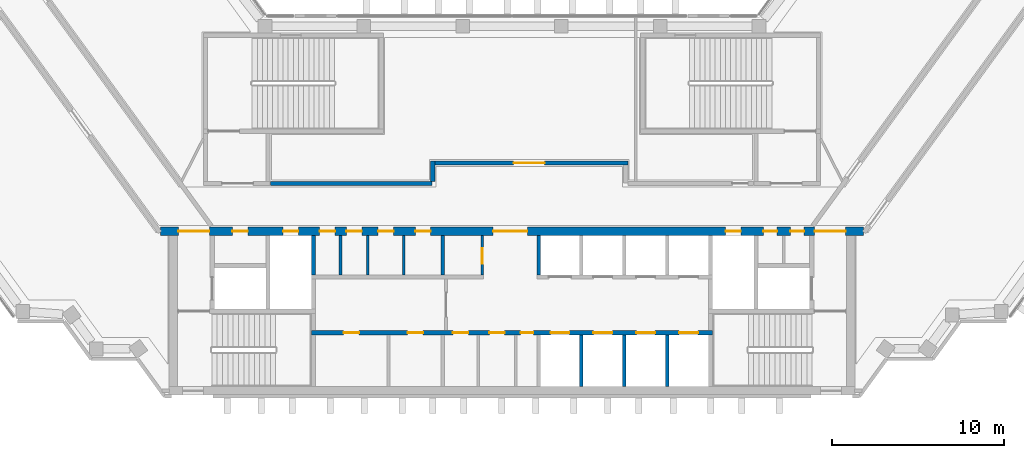
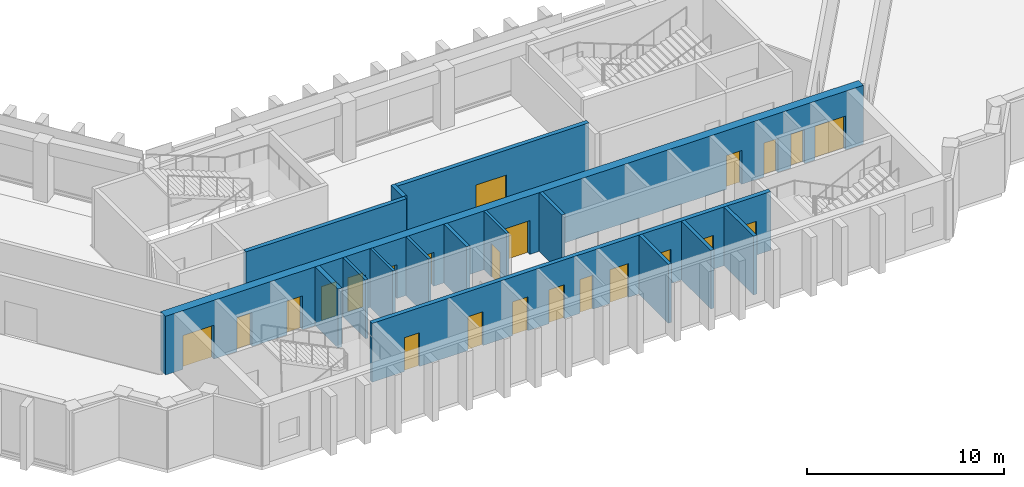
# One storey, part 5 of 10: 23 doors, 15 walls, 23 openings.
"""IFC4 building model written with IfcOpenShell, lengths in metres."""

from ifc_helpers import new_model, si_unit, direction, frame, frame_2d, origin, place, context, subcontext, project, spatial, rectangle, extrude, material, layer, layer_set, type_object, element, fill, save


model = new_model("IFC4")

# Units and contexts
model_context = context("Model", 3, precision=1e-05, world=origin(), true_north=direction((0.0, 1.0)))
body_context = subcontext(model_context, "Body", "Model", "MODEL_VIEW")
ifc_project = project(units=[si_unit("LENGTHUNIT", "METRE"), si_unit("AREAUNIT", "SQUARE_METRE"), si_unit("VOLUMEUNIT", "CUBIC_METRE"), si_unit("PLANEANGLEUNIT", "RADIAN"), si_unit("MASSUNIT", "GRAM", prefix="KILO")], contexts=[model_context])

# Site, building, storey
site_placement = place(None, origin())
site = spatial("IfcSite", under=ifc_project, at=site_placement, CompositionType="ELEMENT")
building_placement = place(site_placement, origin())
building = spatial("IfcBuilding", under=site, at=building_placement, Name="Quipu Civic Tower", CompositionType="ELEMENT")
storey_placement = place(building_placement, frame((0.0, 0.0, 180.0)))
storey = spatial("IfcBuildingStorey", under=building, at=storey_placement, Name="L42", CompositionType="ELEMENT", Elevation=180.0)

# Wall, openings, doors
ifc_material_1 = material(Name="Concrete C70/85", Category="concrete")
ifc_layer_1 = layer(ifc_material_1, 0.25)
ifc_layer_set_1 = layer_set([ifc_layer_1], Name="Concrete C70/85")
wall_type_1 = type_object("IfcWallType", Name="Core wall 250", PredefinedType="SHEAR", material=ifc_layer_set_1)
wall_1_placement = place(storey_placement, frame((11.699951171875, -7.375, 0.0), z_axis=(0.0, 0.0, 1.0), x_axis=(-1.0, 0.0, 0.0)))
wall_1 = element("IfcWall", 1, at=wall_1_placement, inside=storey, type_object=wall_type_1, Name="Core wall", PredefinedType="SHEAR", context=body_context, shape_type="SweptSolid", body=[
    extrude(rectangle(XDim=23.39990234375, YDim=0.25, at=frame_2d((11.699951171875, 0.0))), origin(), (0.0, 0.0, 1.0), 3.64990234375),
])
opening_1_placement = place(wall_1_placement, frame((20.613037109375, 0.0, 0.0)))
opening_1 = element("IfcOpeningElement", 2, at=opening_1_placement, cuts=wall_1, Name="Opening CD-01", PredefinedType="OPENING", context=body_context, shape_type="SweptSolid", body=[
    extrude(rectangle(XDim=0.89990234375, YDim=2.10009765625, at=frame_2d((0.449951171875, 1.050048828125))), frame((0.0, 0.135009765625, 0.0), z_axis=(0.0, -1.0, 0.0), x_axis=(1.0, 0.0, 0.0)), (0.0, 0.0, 1.0), 0.27001953125),
])
opening_2_placement = place(wall_1_placement, frame((16.887939453125, 0.0, 0.0)))
opening_2 = element("IfcOpeningElement", 3, at=opening_2_placement, cuts=wall_1, Name="Opening CD-02", PredefinedType="OPENING", context=body_context, shape_type="SweptSolid", body=[
    extrude(rectangle(XDim=0.89990234375, YDim=2.10009765625, at=frame_2d((0.449951171875, 1.050048828125))), frame((0.0, 0.135009765625, 0.0), z_axis=(0.0, -1.0, 0.0), x_axis=(1.0, 0.0, 0.0)), (0.0, 0.0, 1.0), 0.27001953125),
])
opening_3_placement = place(wall_1_placement, frame((14.25, 0.0, 0.0)))
opening_3 = element("IfcOpeningElement", 4, at=opening_3_placement, cuts=wall_1, Name="Opening CD-03", PredefinedType="OPENING", context=body_context, shape_type="SweptSolid", body=[
    extrude(rectangle(XDim=0.89990234375, YDim=2.10009765625, at=frame_2d((0.449951171875, 1.050048828125))), frame((0.0, 0.135009765625, 0.0), z_axis=(0.0, -1.0, 0.0), x_axis=(1.0, 0.0, 0.0)), (0.0, 0.0, 1.0), 0.27001953125),
])
opening_4_placement = place(wall_1_placement, frame((12.125, 0.0, 0.0)))
opening_4 = element("IfcOpeningElement", 5, at=opening_4_placement, cuts=wall_1, Name="Opening CD-04", PredefinedType="OPENING", context=body_context, shape_type="SweptSolid", body=[
    extrude(rectangle(XDim=0.89990234375, YDim=2.10009765625, at=frame_2d((0.449951171875, 1.050048828125))), frame((0.0, 0.135009765625, 0.0), z_axis=(0.0, -1.0, 0.0), x_axis=(1.0, 0.0, 0.0)), (0.0, 0.0, 1.0), 0.27001953125),
])
opening_5_placement = place(wall_1_placement, frame((10.449951171875, 0.0, 0.0)))
opening_5 = element("IfcOpeningElement", 6, at=opening_5_placement, cuts=wall_1, Name="Opening CD-05", PredefinedType="OPENING", context=body_context, shape_type="SweptSolid", body=[
    extrude(rectangle(XDim=0.75, YDim=2.10009765625, at=frame_2d((0.375, 1.050048828125))), frame((0.0, 0.135009765625, 0.0), z_axis=(0.0, -1.0, 0.0), x_axis=(1.0, 0.0, 0.0)), (0.0, 0.0, 1.0), 0.27001953125),
])
opening_6_placement = place(wall_1_placement, frame((8.35009765625, 0.0, 0.0)))
opening_6 = element("IfcOpeningElement", 7, at=opening_6_placement, cuts=wall_1, Name="Opening LD-ML1", PredefinedType="OPENING", context=body_context, shape_type="SweptSolid", body=[
    extrude(rectangle(XDim=1.10009765625, YDim=2.10009765625, at=frame_2d((0.550048828125, 1.050048828125))), frame((0.0, 0.135009765625, 0.0), z_axis=(0.0, -1.0, 0.0), x_axis=(1.0, 0.0, 0.0)), (0.0, 0.0, 1.0), 0.27001953125),
])
opening_7_placement = place(wall_1_placement, frame((5.85009765625, 0.0, 0.0)))
opening_7 = element("IfcOpeningElement", 8, at=opening_7_placement, cuts=wall_1, Name="Opening LD-ML2", PredefinedType="OPENING", context=body_context, shape_type="SweptSolid", body=[
    extrude(rectangle(XDim=1.10009765625, YDim=2.10009765625, at=frame_2d((0.550048828125, 1.050048828125))), frame((0.0, 0.135009765625, 0.0), z_axis=(0.0, -1.0, 0.0), x_axis=(1.0, 0.0, 0.0)), (0.0, 0.0, 1.0), 0.27001953125),
])
opening_8_placement = place(wall_1_placement, frame((3.35009765625, 0.0, 0.0)))
opening_8 = element("IfcOpeningElement", 9, at=opening_8_placement, cuts=wall_1, Name="Opening LD-ML3", PredefinedType="OPENING", context=body_context, shape_type="SweptSolid", body=[
    extrude(rectangle(XDim=1.10009765625, YDim=2.10009765625, at=frame_2d((0.550048828125, 1.050048828125))), frame((0.0, 0.135009765625, 0.0), z_axis=(0.0, -1.0, 0.0), x_axis=(1.0, 0.0, 0.0)), (0.0, 0.0, 1.0), 0.27001953125),
])
opening_9_placement = place(wall_1_placement, frame((0.85009765625, 0.0, 0.0)))
opening_9 = element("IfcOpeningElement", 10, at=opening_9_placement, cuts=wall_1, Name="Opening LD-ML4", PredefinedType="OPENING", context=body_context, shape_type="SweptSolid", body=[
    extrude(rectangle(XDim=1.10009765625, YDim=2.10009765625, at=frame_2d((0.550048828125, 1.050048828125))), frame((0.0, 0.135009765625, 0.0), z_axis=(0.0, -1.0, 0.0), x_axis=(1.0, 0.0, 0.0)), (0.0, 0.0, 1.0), 0.27001953125),
])
ifc_material_2 = material(Name="Fire rated steel door", Category="steel")
door_type_1 = type_object("IfcDoorType", Name="Fire door FD60 750 x 2100", OperationType="NOTDEFINED", PredefinedType="DOOR", material=ifc_material_2)
door_1_placement = place(opening_5_placement, origin())
door_1 = element("IfcDoor", 11, at=door_1_placement, inside=storey, type_object=door_type_1, Name="Door", OperationType="SINGLE_SWING_LEFT", OverallHeight=2.10009765625, OverallWidth=0.75, PredefinedType="DOOR", context=body_context, shape_type="SweptSolid", body=[
    extrude(rectangle(XDim=0.75, YDim=2.10009765625, at=frame_2d((0.375, 1.050048828125))), frame((0.0, 0.02490234375, 0.0), z_axis=(0.0, -1.0, 0.0), x_axis=(1.0, 0.0, 0.0)), (0.0, 0.0, 1.0), 0.050048828125),
])
fill(opening_5, door_1)
ifc_material_3 = material(Name="Fire rated steel door", Category="steel")
door_type_2 = type_object("IfcDoorType", Name="Fire door FD60 900 x 2100", OperationType="NOTDEFINED", PredefinedType="DOOR", material=ifc_material_3)
door_2_placement = place(opening_1_placement, origin())
door_2 = element("IfcDoor", 12, at=door_2_placement, inside=storey, type_object=door_type_2, Name="Door", OperationType="SINGLE_SWING_RIGHT", OverallHeight=2.10009765625, OverallWidth=0.89990234375, PredefinedType="DOOR", context=body_context, shape_type="SweptSolid", body=[
    extrude(rectangle(XDim=0.89990234375, YDim=2.10009765625, at=frame_2d((0.449951171875, 1.050048828125))), frame((0.0, 0.02490234375, 0.0), z_axis=(0.0, -1.0, 0.0), x_axis=(1.0, 0.0, 0.0)), (0.0, 0.0, 1.0), 0.050048828125),
])
fill(opening_1, door_2)
door_3_placement = place(opening_2_placement, origin())
door_3 = element("IfcDoor", 13, at=door_3_placement, inside=storey, type_object=door_type_2, Name="Door", OperationType="SINGLE_SWING_RIGHT", OverallHeight=2.10009765625, OverallWidth=0.89990234375, PredefinedType="DOOR", context=body_context, shape_type="SweptSolid", body=[
    extrude(rectangle(XDim=0.89990234375, YDim=2.10009765625, at=frame_2d((0.449951171875, 1.050048828125))), frame((0.0, 0.02490234375, 0.0), z_axis=(0.0, -1.0, 0.0), x_axis=(1.0, 0.0, 0.0)), (0.0, 0.0, 1.0), 0.050048828125),
])
fill(opening_2, door_3)
door_4_placement = place(opening_3_placement, origin())
door_4 = element("IfcDoor", 14, at=door_4_placement, inside=storey, type_object=door_type_2, Name="WC door", OperationType="SINGLE_SWING_RIGHT", OverallHeight=2.10009765625, OverallWidth=0.89990234375, PredefinedType="DOOR", context=body_context, shape_type="SweptSolid", body=[
    extrude(rectangle(XDim=0.89990234375, YDim=2.10009765625, at=frame_2d((0.449951171875, 1.050048828125))), frame((0.0, 0.02490234375, 0.0), z_axis=(0.0, -1.0, 0.0), x_axis=(1.0, 0.0, 0.0)), (0.0, 0.0, 1.0), 0.050048828125),
])
fill(opening_3, door_4)
door_5_placement = place(opening_4_placement, origin())
door_5 = element("IfcDoor", 15, at=door_5_placement, inside=storey, type_object=door_type_2, Name="WC door", OperationType="SINGLE_SWING_RIGHT", OverallHeight=2.10009765625, OverallWidth=0.89990234375, PredefinedType="DOOR", context=body_context, shape_type="SweptSolid", body=[
    extrude(rectangle(XDim=0.89990234375, YDim=2.10009765625, at=frame_2d((0.449951171875, 1.050048828125))), frame((0.0, 0.02490234375, 0.0), z_axis=(0.0, -1.0, 0.0), x_axis=(1.0, 0.0, 0.0)), (0.0, 0.0, 1.0), 0.050048828125),
])
fill(opening_4, door_5)
ifc_material_4 = material(Name="Stainless steel", Category="steel")
door_type_3 = type_object("IfcDoorType", Name="Lift landing door 1100 x 2100", OperationType="DOUBLE_DOOR_SLIDING", PredefinedType="DOOR", material=ifc_material_4)
door_6_placement = place(opening_6_placement, origin())
door_6 = element("IfcDoor", 16, at=door_6_placement, inside=storey, type_object=door_type_3, Name="Landing door ML1", OperationType="DOUBLE_DOOR_SLIDING", OverallHeight=2.10009765625, OverallWidth=1.10009765625, PredefinedType="DOOR", context=body_context, shape_type="SweptSolid", body=[
    extrude(rectangle(XDim=1.10009765625, YDim=2.10009765625, at=frame_2d((0.550048828125, 1.050048828125))), frame((0.0, 0.02490234375, 0.0), z_axis=(0.0, -1.0, 0.0), x_axis=(1.0, 0.0, 0.0)), (0.0, 0.0, 1.0), 0.050048828125),
])
fill(opening_6, door_6)
door_7_placement = place(opening_7_placement, origin())
door_7 = element("IfcDoor", 17, at=door_7_placement, inside=storey, type_object=door_type_3, Name="Landing door ML2", OperationType="DOUBLE_DOOR_SLIDING", OverallHeight=2.10009765625, OverallWidth=1.10009765625, PredefinedType="DOOR", context=body_context, shape_type="SweptSolid", body=[
    extrude(rectangle(XDim=1.10009765625, YDim=2.10009765625, at=frame_2d((0.550048828125, 1.050048828125))), frame((0.0, 0.02490234375, 0.0), z_axis=(0.0, -1.0, 0.0), x_axis=(1.0, 0.0, 0.0)), (0.0, 0.0, 1.0), 0.050048828125),
])
fill(opening_7, door_7)
door_8_placement = place(opening_8_placement, origin())
door_8 = element("IfcDoor", 18, at=door_8_placement, inside=storey, type_object=door_type_3, Name="Landing door ML3", OperationType="DOUBLE_DOOR_SLIDING", OverallHeight=2.10009765625, OverallWidth=1.10009765625, PredefinedType="DOOR", context=body_context, shape_type="SweptSolid", body=[
    extrude(rectangle(XDim=1.10009765625, YDim=2.10009765625, at=frame_2d((0.550048828125, 1.050048828125))), frame((0.0, 0.02490234375, 0.0), z_axis=(0.0, -1.0, 0.0), x_axis=(1.0, 0.0, 0.0)), (0.0, 0.0, 1.0), 0.050048828125),
])
fill(opening_8, door_8)
door_9_placement = place(opening_9_placement, origin())
door_9 = element("IfcDoor", 19, at=door_9_placement, inside=storey, type_object=door_type_3, Name="Landing door ML4", OperationType="DOUBLE_DOOR_SLIDING", OverallHeight=2.10009765625, OverallWidth=1.10009765625, PredefinedType="DOOR", context=body_context, shape_type="SweptSolid", body=[
    extrude(rectangle(XDim=1.10009765625, YDim=2.10009765625, at=frame_2d((0.550048828125, 1.050048828125))), frame((0.0, 0.02490234375, 0.0), z_axis=(0.0, -1.0, 0.0), x_axis=(1.0, 0.0, 0.0)), (0.0, 0.0, 1.0), 0.050048828125),
])
fill(opening_9, door_9)

# Wall
wall_2_placement = place(storey_placement, frame((-11.574951171875, -4.0, 0.0), z_axis=(0.0, 0.0, 1.0), x_axis=(0.0, 1.0, 0.0)))
element("IfcWall", 20, at=wall_2_placement, inside=storey, type_object=wall_type_1, Name="Core wall", PredefinedType="SHEAR", context=body_context, shape_type="SweptSolid", body=[
    extrude(rectangle(XDim=2.300048828125, YDim=0.25, at=frame_2d((1.14990234375, 0.0))), origin(), (0.0, 0.0, 1.0), 3.64990234375),
])

# Wall, openings, doors
ifc_material_5 = material(Name="Concrete C70/85", Category="concrete")
ifc_layer_2 = layer(ifc_material_5, 0.5)
ifc_layer_set_2 = layer_set([ifc_layer_2], Name="Concrete C70/85")
wall_type_2 = type_object("IfcWallType", Name="Core wall 500", PredefinedType="SHEAR", material=ifc_layer_set_2)
wall_3_placement = place(storey_placement, frame((20.489990234375, -1.449951171875, 0.0), z_axis=(0.0, 0.0, 1.0), x_axis=(-1.0, 0.0, 0.0)))
wall_3 = element("IfcWall", 21, at=wall_3_placement, inside=storey, type_object=wall_type_2, Name="Core wall", PredefinedType="SHEAR", context=body_context, shape_type="SweptSolid", body=[
    extrude(rectangle(XDim=40.97998046875, YDim=0.5, at=frame_2d((20.489990234375, 0.0))), origin(), (0.0, 0.0, 1.0), 3.64990234375),
])
opening_10_placement = place(wall_3_placement, frame((38.139892578125, 0.0, 0.0)))
opening_10 = element("IfcOpeningElement", 22, at=opening_10_placement, cuts=wall_3, Name="Opening CD-10", PredefinedType="OPENING", context=body_context, shape_type="SweptSolid", body=[
    extrude(rectangle(XDim=1.800048828125, YDim=2.10009765625, at=frame_2d((0.89990234375, 1.050048828125))), frame((0.0, 0.260009765625, 0.0), z_axis=(0.0, -1.0, 0.0), x_axis=(1.0, 0.0, 0.0)), (0.0, 0.0, 1.0), 0.52001953125),
])
opening_11_placement = place(wall_3_placement, frame((35.889892578125, 0.0, 0.0)))
opening_11 = element("IfcOpeningElement", 23, at=opening_11_placement, cuts=wall_3, Name="Opening CD-11", PredefinedType="OPENING", context=body_context, shape_type="SweptSolid", body=[
    extrude(rectangle(XDim=0.89990234375, YDim=2.10009765625, at=frame_2d((0.449951171875, 1.050048828125))), frame((0.0, 0.260009765625, 0.0), z_axis=(0.0, -1.0, 0.0), x_axis=(1.0, 0.0, 0.0)), (0.0, 0.0, 1.0), 0.52001953125),
])
opening_12_placement = place(wall_3_placement, frame((32.93994140625, 0.0, 0.0)))
opening_12 = element("IfcOpeningElement", 24, at=opening_12_placement, cuts=wall_3, Name="Opening CD-12", PredefinedType="OPENING", context=body_context, shape_type="SweptSolid", body=[
    extrude(rectangle(XDim=0.89990234375, YDim=2.10009765625, at=frame_2d((0.449951171875, 1.050048828125))), frame((0.0, 0.260009765625, 0.0), z_axis=(0.0, -1.0, 0.0), x_axis=(1.0, 0.0, 0.0)), (0.0, 0.0, 1.0), 0.52001953125),
])
opening_13_placement = place(wall_3_placement, frame((30.802490234375, 0.0, 0.0)))
opening_13 = element("IfcOpeningElement", 25, at=opening_13_placement, cuts=wall_3, Name="Opening CD-13", PredefinedType="OPENING", context=body_context, shape_type="SweptSolid", body=[
    extrude(rectangle(XDim=0.89990234375, YDim=2.10009765625, at=frame_2d((0.449951171875, 1.050048828125))), frame((0.0, 0.260009765625, 0.0), z_axis=(0.0, -1.0, 0.0), x_axis=(1.0, 0.0, 0.0)), (0.0, 0.0, 1.0), 0.52001953125),
])
opening_14_placement = place(wall_3_placement, frame((29.239990234375, 0.0, 0.0)))
opening_14 = element("IfcOpeningElement", 26, at=opening_14_placement, cuts=wall_3, Name="Opening CD-14", PredefinedType="OPENING", context=body_context, shape_type="SweptSolid", body=[
    extrude(rectangle(XDim=0.89990234375, YDim=2.10009765625, at=frame_2d((0.449951171875, 1.050048828125))), frame((0.0, 0.260009765625, 0.0), z_axis=(0.0, -1.0, 0.0), x_axis=(1.0, 0.0, 0.0)), (0.0, 0.0, 1.0), 0.52001953125),
])
opening_15_placement = place(wall_3_placement, frame((27.389892578125, 0.0, 0.0)))
opening_15 = element("IfcOpeningElement", 27, at=opening_15_placement, cuts=wall_3, Name="Opening CD-15", PredefinedType="OPENING", context=body_context, shape_type="SweptSolid", body=[
    extrude(rectangle(XDim=0.89990234375, YDim=2.10009765625, at=frame_2d((0.449951171875, 1.050048828125))), frame((0.0, 0.260009765625, 0.0), z_axis=(0.0, -1.0, 0.0), x_axis=(1.0, 0.0, 0.0)), (0.0, 0.0, 1.0), 0.52001953125),
])
opening_16_placement = place(wall_3_placement, frame((25.2275390625, 0.0, 0.0)))
opening_16 = element("IfcOpeningElement", 28, at=opening_16_placement, cuts=wall_3, Name="Opening CD-16", PredefinedType="OPENING", context=body_context, shape_type="SweptSolid", body=[
    extrude(rectangle(XDim=0.89990234375, YDim=2.10009765625, at=frame_2d((0.449951171875, 1.050048828125))), frame((0.0, 0.260009765625, 0.0), z_axis=(0.0, -1.0, 0.0), x_axis=(1.0, 0.0, 0.0)), (0.0, 0.0, 1.0), 0.52001953125),
])
opening_17_placement = place(wall_3_placement, frame((19.590087890625, 0.0, 0.0)))
opening_17 = element("IfcOpeningElement", 29, at=opening_17_placement, cuts=wall_3, Name="Opening CD-17", PredefinedType="OPENING", context=body_context, shape_type="SweptSolid", body=[
    extrude(rectangle(XDim=2.0, YDim=2.10009765625, at=frame_2d((1.0, 1.050048828125))), frame((0.0, 0.260009765625, 0.0), z_axis=(0.0, -1.0, 0.0), x_axis=(1.0, 0.0, 0.0)), (0.0, 0.0, 1.0), 0.52001953125),
])
opening_18_placement = place(wall_3_placement, frame((7.139892578125, 0.0, 0.0)))
opening_18 = element("IfcOpeningElement", 30, at=opening_18_placement, cuts=wall_3, Name="Opening CD-18", PredefinedType="OPENING", context=body_context, shape_type="SweptSolid", body=[
    extrude(rectangle(XDim=0.89990234375, YDim=2.10009765625, at=frame_2d((0.449951171875, 1.050048828125))), frame((0.0, 0.260009765625, 0.0), z_axis=(0.0, -1.0, 0.0), x_axis=(1.0, 0.0, 0.0)), (0.0, 0.0, 1.0), 0.52001953125),
])
opening_19_placement = place(wall_3_placement, frame((5.027587890625, 0.0, 0.0)))
opening_19 = element("IfcOpeningElement", 31, at=opening_19_placement, cuts=wall_3, Name="Opening CD-19", PredefinedType="OPENING", context=body_context, shape_type="SweptSolid", body=[
    extrude(rectangle(XDim=0.800048828125, YDim=2.10009765625, at=frame_2d((0.39990234375, 1.050048828125))), frame((0.0, 0.260009765625, 0.0), z_axis=(0.0, -1.0, 0.0), x_axis=(1.0, 0.0, 0.0)), (0.0, 0.0, 1.0), 0.52001953125),
])
opening_20_placement = place(wall_3_placement, frame((3.452392578125, 0.0, 0.0)))
opening_20 = element("IfcOpeningElement", 32, at=opening_20_placement, cuts=wall_3, Name="Opening CD-20", PredefinedType="OPENING", context=body_context, shape_type="SweptSolid", body=[
    extrude(rectangle(XDim=0.800048828125, YDim=2.10009765625, at=frame_2d((0.39990234375, 1.050048828125))), frame((0.0, 0.260009765625, 0.0), z_axis=(0.0, -1.0, 0.0), x_axis=(1.0, 0.0, 0.0)), (0.0, 0.0, 1.0), 0.52001953125),
])
opening_21_placement = place(wall_3_placement, frame((1.0400390625, 0.0, 0.0)))
opening_21 = element("IfcOpeningElement", 33, at=opening_21_placement, cuts=wall_3, Name="Opening CD-21", PredefinedType="OPENING", context=body_context, shape_type="SweptSolid", body=[
    extrude(rectangle(XDim=1.800048828125, YDim=2.10009765625, at=frame_2d((0.89990234375, 1.050048828125))), frame((0.0, 0.260009765625, 0.0), z_axis=(0.0, -1.0, 0.0), x_axis=(1.0, 0.0, 0.0)), (0.0, 0.0, 1.0), 0.52001953125),
])
ifc_material_6 = material(Name="Fire rated steel door", Category="steel")
door_type_4 = type_object("IfcDoorType", Name="Fire door FD60 800 x 2100", OperationType="NOTDEFINED", PredefinedType="DOOR", material=ifc_material_6)
door_10_placement = place(opening_19_placement, origin())
door_10 = element("IfcDoor", 34, at=door_10_placement, inside=storey, type_object=door_type_4, Name="Door", OperationType="SINGLE_SWING_LEFT", OverallHeight=2.10009765625, OverallWidth=0.800048828125, PredefinedType="DOOR", context=body_context, shape_type="SweptSolid", body=[
    extrude(rectangle(XDim=0.800048828125, YDim=2.10009765625, at=frame_2d((0.39990234375, 1.050048828125))), frame((0.0, 0.02490234375, 0.0), z_axis=(0.0, -1.0, 0.0), x_axis=(1.0, 0.0, 0.0)), (0.0, 0.0, 1.0), 0.050048828125),
])
fill(opening_19, door_10)
door_11_placement = place(opening_20_placement, origin())
door_11 = element("IfcDoor", 35, at=door_11_placement, inside=storey, type_object=door_type_4, Name="Door", OperationType="SINGLE_SWING_LEFT", OverallHeight=2.10009765625, OverallWidth=0.800048828125, PredefinedType="DOOR", context=body_context, shape_type="SweptSolid", body=[
    extrude(rectangle(XDim=0.800048828125, YDim=2.10009765625, at=frame_2d((0.39990234375, 1.050048828125))), frame((0.0, 0.02490234375, 0.0), z_axis=(0.0, -1.0, 0.0), x_axis=(1.0, 0.0, 0.0)), (0.0, 0.0, 1.0), 0.050048828125),
])
fill(opening_20, door_11)
door_12_placement = place(opening_11_placement, origin())
door_12 = element("IfcDoor", 36, at=door_12_placement, inside=storey, type_object=door_type_2, Name="Door", OperationType="SINGLE_SWING_RIGHT", OverallHeight=2.10009765625, OverallWidth=0.89990234375, PredefinedType="DOOR", context=body_context, shape_type="SweptSolid", body=[
    extrude(rectangle(XDim=0.89990234375, YDim=2.10009765625, at=frame_2d((0.449951171875, 1.050048828125))), frame((0.0, 0.02490234375, 0.0), z_axis=(0.0, -1.0, 0.0), x_axis=(1.0, 0.0, 0.0)), (0.0, 0.0, 1.0), 0.050048828125),
])
fill(opening_11, door_12)
door_13_placement = place(opening_12_placement, origin())
door_13 = element("IfcDoor", 37, at=door_13_placement, inside=storey, type_object=door_type_2, Name="Riser door", OperationType="SINGLE_SWING_RIGHT", OverallHeight=2.10009765625, OverallWidth=0.89990234375, PredefinedType="DOOR", context=body_context, shape_type="SweptSolid", body=[
    extrude(rectangle(XDim=0.89990234375, YDim=2.10009765625, at=frame_2d((0.449951171875, 1.050048828125))), frame((0.0, 0.02490234375, 0.0), z_axis=(0.0, -1.0, 0.0), x_axis=(1.0, 0.0, 0.0)), (0.0, 0.0, 1.0), 0.050048828125),
])
fill(opening_12, door_13)
door_14_placement = place(opening_13_placement, origin())
door_14 = element("IfcDoor", 38, at=door_14_placement, inside=storey, type_object=door_type_2, Name="Door", OperationType="SINGLE_SWING_RIGHT", OverallHeight=2.10009765625, OverallWidth=0.89990234375, PredefinedType="DOOR", context=body_context, shape_type="SweptSolid", body=[
    extrude(rectangle(XDim=0.89990234375, YDim=2.10009765625, at=frame_2d((0.449951171875, 1.050048828125))), frame((0.0, 0.02490234375, 0.0), z_axis=(0.0, -1.0, 0.0), x_axis=(1.0, 0.0, 0.0)), (0.0, 0.0, 1.0), 0.050048828125),
])
fill(opening_13, door_14)
door_15_placement = place(opening_14_placement, origin())
door_15 = element("IfcDoor", 39, at=door_15_placement, inside=storey, type_object=door_type_2, Name="Door", OperationType="SINGLE_SWING_RIGHT", OverallHeight=2.10009765625, OverallWidth=0.89990234375, PredefinedType="DOOR", context=body_context, shape_type="SweptSolid", body=[
    extrude(rectangle(XDim=0.89990234375, YDim=2.10009765625, at=frame_2d((0.449951171875, 1.050048828125))), frame((0.0, 0.02490234375, 0.0), z_axis=(0.0, -1.0, 0.0), x_axis=(1.0, 0.0, 0.0)), (0.0, 0.0, 1.0), 0.050048828125),
])
fill(opening_14, door_15)
door_16_placement = place(opening_15_placement, origin())
door_16 = element("IfcDoor", 40, at=door_16_placement, inside=storey, type_object=door_type_2, Name="Door", OperationType="SINGLE_SWING_RIGHT", OverallHeight=2.10009765625, OverallWidth=0.89990234375, PredefinedType="DOOR", context=body_context, shape_type="SweptSolid", body=[
    extrude(rectangle(XDim=0.89990234375, YDim=2.10009765625, at=frame_2d((0.449951171875, 1.050048828125))), frame((0.0, 0.02490234375, 0.0), z_axis=(0.0, -1.0, 0.0), x_axis=(1.0, 0.0, 0.0)), (0.0, 0.0, 1.0), 0.050048828125),
])
fill(opening_15, door_16)
door_17_placement = place(opening_16_placement, origin())
door_17 = element("IfcDoor", 41, at=door_17_placement, inside=storey, type_object=door_type_2, Name="Door", OperationType="SINGLE_SWING_RIGHT", OverallHeight=2.10009765625, OverallWidth=0.89990234375, PredefinedType="DOOR", context=body_context, shape_type="SweptSolid", body=[
    extrude(rectangle(XDim=0.89990234375, YDim=2.10009765625, at=frame_2d((0.449951171875, 1.050048828125))), frame((0.0, 0.02490234375, 0.0), z_axis=(0.0, -1.0, 0.0), x_axis=(1.0, 0.0, 0.0)), (0.0, 0.0, 1.0), 0.050048828125),
])
fill(opening_16, door_17)
door_18_placement = place(opening_18_placement, origin())
door_18 = element("IfcDoor", 42, at=door_18_placement, inside=storey, type_object=door_type_2, Name="Riser door", OperationType="SINGLE_SWING_LEFT", OverallHeight=2.10009765625, OverallWidth=0.89990234375, PredefinedType="DOOR", context=body_context, shape_type="SweptSolid", body=[
    extrude(rectangle(XDim=0.89990234375, YDim=2.10009765625, at=frame_2d((0.449951171875, 1.050048828125))), frame((0.0, 0.02490234375, 0.0), z_axis=(0.0, -1.0, 0.0), x_axis=(1.0, 0.0, 0.0)), (0.0, 0.0, 1.0), 0.050048828125),
])
fill(opening_18, door_18)
ifc_material_7 = material(Name="Fire rated steel door", Category="steel")
door_type_5 = type_object("IfcDoorType", Name="Fire door FD90 double 1800 x 2100", OperationType="NOTDEFINED", PredefinedType="DOOR", material=ifc_material_7)
door_19_placement = place(opening_10_placement, origin())
door_19 = element("IfcDoor", 43, at=door_19_placement, inside=storey, type_object=door_type_5, Name="Lobby door", OperationType="DOUBLE_DOOR_SINGLE_SWING", OverallHeight=2.10009765625, OverallWidth=1.800048828125, PredefinedType="DOOR", context=body_context, shape_type="SweptSolid", body=[
    extrude(rectangle(XDim=1.800048828125, YDim=2.10009765625, at=frame_2d((0.89990234375, 1.050048828125))), frame((0.0, 0.02490234375, 0.0), z_axis=(0.0, -1.0, 0.0), x_axis=(1.0, 0.0, 0.0)), (0.0, 0.0, 1.0), 0.050048828125),
])
fill(opening_10, door_19)
door_20_placement = place(opening_21_placement, origin())
door_20 = element("IfcDoor", 44, at=door_20_placement, inside=storey, type_object=door_type_5, Name="Lobby door", OperationType="DOUBLE_DOOR_SINGLE_SWING", OverallHeight=2.10009765625, OverallWidth=1.800048828125, PredefinedType="DOOR", context=body_context, shape_type="SweptSolid", body=[
    extrude(rectangle(XDim=1.800048828125, YDim=2.10009765625, at=frame_2d((0.89990234375, 1.050048828125))), frame((0.0, 0.02490234375, 0.0), z_axis=(0.0, -1.0, 0.0), x_axis=(1.0, 0.0, 0.0)), (0.0, 0.0, 1.0), 0.050048828125),
])
fill(opening_21, door_20)
ifc_material_8 = material(Name="Fire rated steel door", Category="steel")
door_type_6 = type_object("IfcDoorType", Name="Fire door FD90 double 2000 x 2100", OperationType="NOTDEFINED", PredefinedType="DOOR", material=ifc_material_8)
door_21_placement = place(opening_17_placement, origin())
door_21 = element("IfcDoor", 45, at=door_21_placement, inside=storey, type_object=door_type_6, Name="Lobby door", OperationType="DOUBLE_DOOR_SINGLE_SWING", OverallHeight=2.10009765625, OverallWidth=2.0, PredefinedType="DOOR", context=body_context, shape_type="SweptSolid", body=[
    extrude(rectangle(XDim=2.0, YDim=2.10009765625, at=frame_2d((1.0, 1.050048828125))), frame((0.0, 0.02490234375, 0.0), z_axis=(0.0, -1.0, 0.0), x_axis=(1.0, 0.0, 0.0)), (0.0, 0.0, 1.0), 0.050048828125),
])
fill(opening_17, door_21)

# Walls
ifc_material_9 = material(Name="Concrete C50/60", Category="concrete")
ifc_layer_3 = layer(ifc_material_9, 0.25)
ifc_layer_set_3 = layer_set([ifc_layer_3], Name="Concrete C50/60")
wall_type_3 = type_object("IfcWallType", Name="Corridor wall 250 concrete", PredefinedType="SOLIDWALL", material=ifc_layer_set_3)
wall_4_placement = place(storey_placement, frame((-14.090087890625, 1.324951171875, 0.0), z_axis=(0.0, 0.0, 1.0), x_axis=(1.0, 0.0, 0.0)))
element("IfcWall", 46, at=wall_4_placement, inside=storey, type_object=wall_type_3, Name="Corridor wall C07", PredefinedType="SOLIDWALL", context=body_context, shape_type="SweptSolid", body=[
    extrude(rectangle(XDim=9.431396484375, YDim=0.25, at=frame_2d((4.7158203125, 0.0))), origin(), (0.0, 0.0, 1.0), 3.64990234375),
])
wall_5_placement = place(storey_placement, frame((-4.625, 1.45361328125, 0.0), z_axis=(0.0, 0.0, 1.0), x_axis=(0.0, 1.0, 0.0)))
element("IfcWall", 47, at=wall_5_placement, inside=storey, type_object=wall_type_3, Name="Corridor wall C08", PredefinedType="SOLIDWALL", context=body_context, shape_type="SweptSolid", body=[
    extrude(rectangle(XDim=1.1962890625, YDim=0.25, at=frame_2d((0.59814453125, 0.0))), origin(), (0.0, 0.0, 1.0), 3.64990234375),
])

# Wall, opening, door
wall_6_placement = place(storey_placement, frame((-4.5, 2.52490234375, 0.0), z_axis=(0.0, 0.0, 1.0), x_axis=(1.0, 0.0, 0.0)))
wall_6 = element("IfcWall", 48, at=wall_6_placement, inside=storey, type_object=wall_type_3, Name="Corridor wall C09", PredefinedType="SOLIDWALL", context=body_context, shape_type="SweptSolid", body=[
    extrude(rectangle(XDim=11.25, YDim=0.25, at=frame_2d((5.625, 0.0))), origin(), (0.0, 0.0, 1.0), 3.64990234375),
])
opening_22_placement = place(wall_6_placement, frame((4.60009765625, 0.0, 0.0)))
opening_22 = element("IfcOpeningElement", 49, at=opening_22_placement, cuts=wall_6, Name="Opening D006", PredefinedType="OPENING", context=body_context, shape_type="SweptSolid", body=[
    extrude(rectangle(XDim=1.800048828125, YDim=2.10009765625, at=frame_2d((0.89990234375, 1.050048828125))), frame((0.0, 0.135009765625, 0.0), z_axis=(0.0, -1.0, 0.0), x_axis=(1.0, 0.0, 0.0)), (0.0, 0.0, 1.0), 0.27001953125),
])
ifc_material_10 = material(Name="Fire rated timber door set with metal frame", Category="wood")
door_type_7 = type_object("IfcDoorType", Name="Double door 1800 x 2100 FD60", OperationType="DOUBLE_DOOR_SINGLE_SWING", PredefinedType="DOOR", material=ifc_material_10)
door_22_placement = place(opening_22_placement, origin())
door_22 = element("IfcDoor", 50, at=door_22_placement, inside=storey, type_object=door_type_7, Name="Door D006", OperationType="DOUBLE_DOOR_SINGLE_SWING", OverallHeight=2.10009765625, OverallWidth=1.800048828125, PredefinedType="DOOR", context=body_context, shape_type="SweptSolid", body=[
    extrude(rectangle(XDim=1.800048828125, YDim=2.10009765625, at=frame_2d((0.89990234375, 1.050048828125))), frame((0.0, 0.02490234375, 0.0), z_axis=(0.0, -1.0, 0.0), x_axis=(1.0, 0.0, 0.0)), (0.0, 0.0, 1.0), 0.050048828125),
])
fill(opening_22, door_22)

# Walls
ifc_material_11 = material(Name="Gypsum board partition")
ifc_layer_4 = layer(ifc_material_11, 0.14990234375)
ifc_layer_set_4 = layer_set([ifc_layer_4], Name="Gypsum board partition")
wall_type_4 = type_object("IfcWallType", Name="Partition 150", PredefinedType="PARTITIONING", material=ifc_layer_set_4)
for number, where, z_axis, x_axis, name in (
    (51, (-10.0, -4.0, 0.0), (0.0, 0.0, 1.0), (0.0, 1.0, 0.0), "Partition"),
    (52, (-8.39990234375, -4.0, 0.0), (0.0, 0.0, 1.0), (0.0, 1.0, 0.0), "Partition"),
    (53, (-6.300048828125, -4.0, 0.0), (0.0, 0.0, 1.0), (0.0, 1.0, 0.0), "Partition"),
):
    element("IfcWall", number, at=place(storey_placement, frame(where, z_axis=z_axis, x_axis=x_axis)), inside=storey, type_object=wall_type_4, Name=name, PredefinedType="PARTITIONING", context=body_context, shape_type="SweptSolid", body=[
        extrude(rectangle(XDim=2.300048828125, YDim=0.14990234375, at=frame_2d((1.14990234375, 0.0))), origin(), (0.0, 0.0, 1.0), 3.64990234375),
    ])

# Wall, opening, door
wall_7_placement = place(storey_placement, frame((-1.72509765625, -1.699951171875, 0.0), z_axis=(0.0, 0.0, 1.0), x_axis=(0.0, -1.0, 0.0)))
wall_7 = element("IfcWall", 54, at=wall_7_placement, inside=storey, type_object=wall_type_4, Name="Partition", PredefinedType="PARTITIONING", context=body_context, shape_type="SweptSolid", body=[
    extrude(rectangle(XDim=2.300048828125, YDim=0.14990234375, at=frame_2d((1.14990234375, 0.0))), origin(), (0.0, 0.0, 1.0), 3.64990234375),
])
opening_23_placement = place(wall_7_placement, frame((0.75, 0.0, 0.0)))
opening_23 = element("IfcOpeningElement", 55, at=opening_23_placement, cuts=wall_7, Name="Opening CD-09", PredefinedType="OPENING", context=body_context, shape_type="SweptSolid", body=[
    extrude(rectangle(XDim=0.89990234375, YDim=2.10009765625, at=frame_2d((0.449951171875, 1.050048828125))), frame((0.0, 0.0849609375, 0.0), z_axis=(0.0, -1.0, 0.0), x_axis=(1.0, 0.0, 0.0)), (0.0, 0.0, 1.0), 0.169921875),
])
door_23_placement = place(opening_23_placement, origin())
door_23 = element("IfcDoor", 56, at=door_23_placement, inside=storey, type_object=door_type_2, Name="WC door", OperationType="SINGLE_SWING_RIGHT", OverallHeight=2.10009765625, OverallWidth=0.89990234375, PredefinedType="DOOR", context=body_context, shape_type="SweptSolid", body=[
    extrude(rectangle(XDim=0.89990234375, YDim=2.10009765625, at=frame_2d((0.449951171875, 1.050048828125))), frame((0.0, 0.02490234375, 0.0), z_axis=(0.0, -1.0, 0.0), x_axis=(1.0, 0.0, 0.0)), (0.0, 0.0, 1.0), 0.050048828125),
])
fill(opening_23, door_23)

# Walls
ifc_material_12 = material(Name="Concrete C40/50", Category="concrete")
ifc_layer_5 = layer(ifc_material_12, 0.199951171875)
ifc_layer_set_5 = layer_set([ifc_layer_5], Name="Concrete C40/50")
wall_type_5 = type_object("IfcWallType", Name="Shaft wall 200", PredefinedType="SOLIDWALL", material=ifc_layer_set_5)
for number, where, z_axis, x_axis, name in (
    (57, (4.050048828125, -10.5, 0.0), (0.0, 0.0, 1.0), (0.0, 1.0, 0.0), "Shaft wall"),
    (58, (6.550048828125, -10.5, 0.0), (0.0, 0.0, 1.0), (0.0, 1.0, 0.0), "Shaft wall"),
    (59, (9.050048828125, -10.5, 0.0), (0.0, 0.0, 1.0), (0.0, 1.0, 0.0), "Shaft wall"),
):
    element("IfcWall", number, at=place(storey_placement, frame(where, z_axis=z_axis, x_axis=x_axis)), inside=storey, type_object=wall_type_5, Name=name, PredefinedType="SOLIDWALL", context=body_context, shape_type="SweptSolid", body=[
        extrude(rectangle(XDim=3.0, YDim=0.199951171875, at=frame_2d((1.5, 0.0))), origin(), (0.0, 0.0, 1.0), 3.64990234375),
    ])
for number, where, z_axis, x_axis, name in (
    (60, (-4.050048828125, -4.0, 0.0), (0.0, 0.0, 1.0), (0.0, 1.0, 0.0), "Shaft wall"),
    (61, (1.550048828125, -4.0, 0.0), (0.0, 0.0, 1.0), (0.0, 1.0, 0.0), "Shaft wall"),
):
    element("IfcWall", number, at=place(storey_placement, frame(where, z_axis=z_axis, x_axis=x_axis)), inside=storey, type_object=wall_type_5, Name=name, PredefinedType="SOLIDWALL", context=body_context, shape_type="SweptSolid", body=[
        extrude(rectangle(XDim=2.300048828125, YDim=0.199951171875, at=frame_2d((1.14990234375, 0.0))), origin(), (0.0, 0.0, 1.0), 3.64990234375),
    ])

save(model, "model.ifc")
